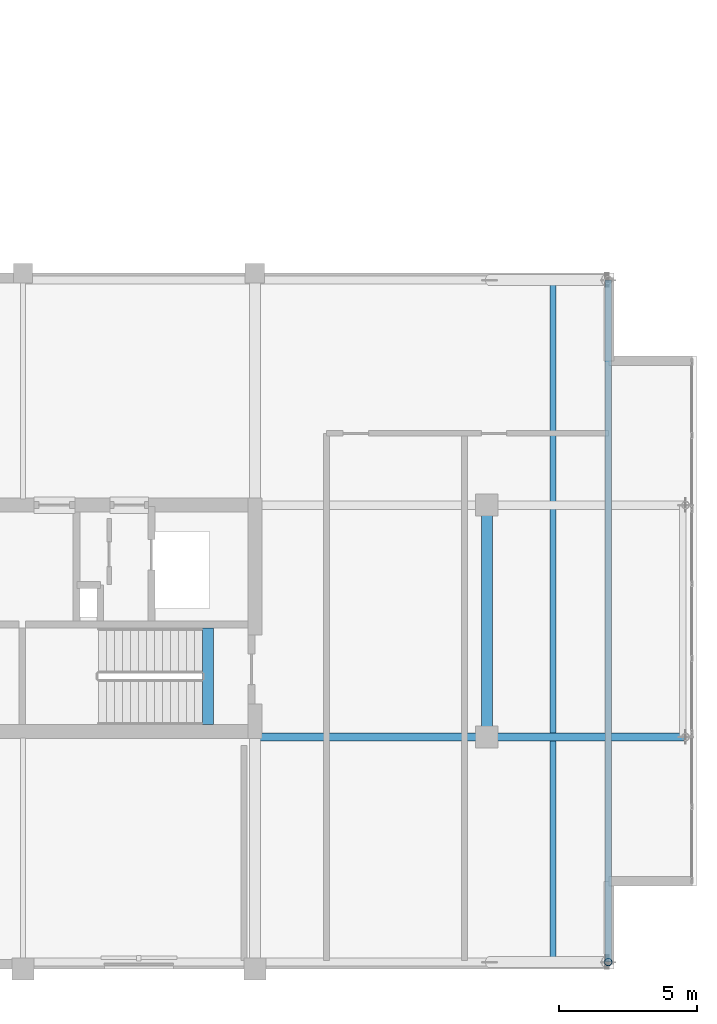
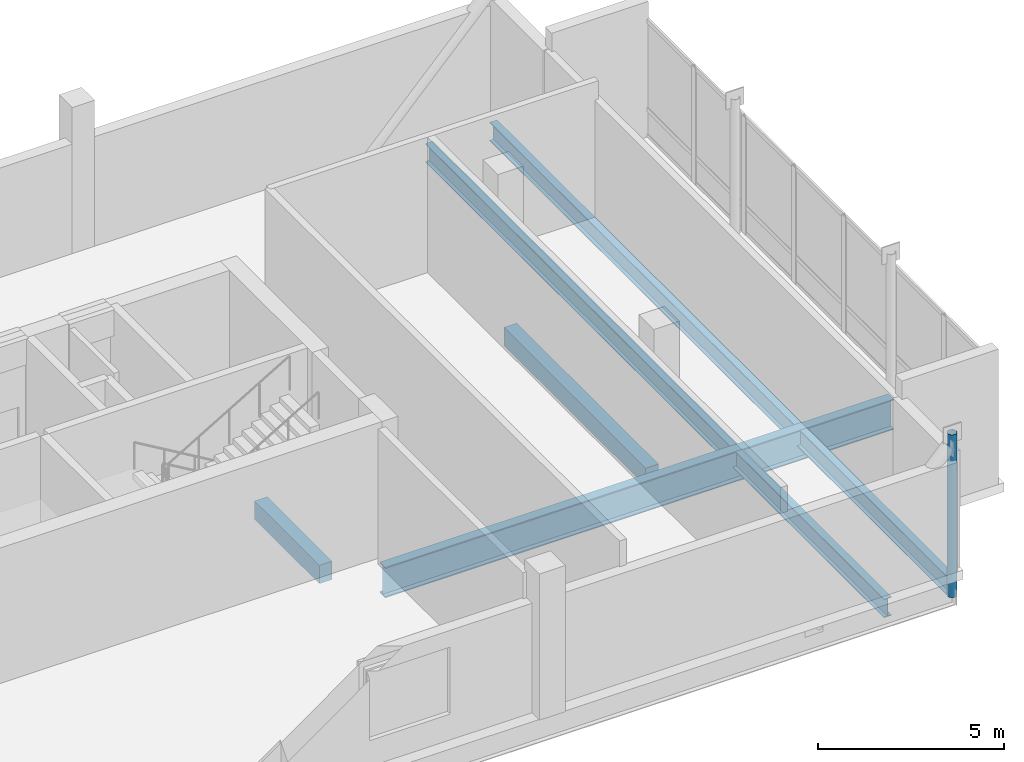
# One storey, part 2 of 18: 5 beams, 1 member.
"""IFC4 building model written with IfcOpenShell, lengths in metres."""

from ifc_helpers import new_model, si_unit, direction, frame, origin, origin_2d, place, context, subcontext, project, spatial, rectangle, hollow_circle, i_section, extrude, material, material_profile, profile_set, type_object, element, save


model = new_model("IFC4")

# Units and contexts
model_context = context("Model", 3, precision=1e-05, world=origin(), true_north=direction((0.0, 1.0)))
body_context = subcontext(model_context, "Body", "Model", "MODEL_VIEW")
ifc_project = project(units=[si_unit("LENGTHUNIT", "METRE"), si_unit("AREAUNIT", "SQUARE_METRE"), si_unit("VOLUMEUNIT", "CUBIC_METRE"), si_unit("PLANEANGLEUNIT", "RADIAN"), si_unit("MASSUNIT", "GRAM", prefix="KILO")], contexts=[model_context])

# Site, building, storey
site_placement = place(None, origin())
site = spatial("IfcSite", under=ifc_project, at=site_placement, CompositionType="ELEMENT")
building_placement = place(site_placement, origin())
building = spatial("IfcBuilding", under=site, at=building_placement, Name="Koriwani Terraces Tower", CompositionType="ELEMENT")
storey_placement = place(building_placement, frame((0.0, 0.0, 363.800048828125)))
storey = spatial("IfcBuildingStorey", under=building, at=storey_placement, Name="L90", CompositionType="ELEMENT", Elevation=363.800048828125)

# Beams
ifc_material_1 = material(Name="Concrete C40/50", Category="concrete")
ifc_material_profile_1 = material_profile(ifc_material_1, rectangle(XDim=0.39990234375, YDim=0.60009765625, at=origin_2d()), Name="Concrete C40/50", Category="LoadBearing")
ifc_profile_set_1 = profile_set([ifc_material_profile_1], Name="Concrete C40/50")
beam_type_1 = type_object("IfcBeamType", Name="BEAM_RC_GRID_400X600", PredefinedType="BEAM", material=ifc_profile_set_1)
beam_1_placement = place(storey_placement, frame((57.094970703125, 17.25, -0.300048828125), z_axis=(0.0, 1.0, 0.0), x_axis=(-1.0, 0.0, 0.0)))
element("IfcBeam", 1, at=beam_1_placement, inside=storey, type_object=beam_type_1, Name="L90 Stairwell Header Trimmer Beam ST-E2", PredefinedType="BEAM", context=body_context, shape_type="SweptSolid", body=[
    extrude(rectangle(XDim=0.39990234375, YDim=0.60009765625, at=origin_2d()), origin(), (0.0, 0.0, 1.0), 3.5),
])
beam_2_placement = place(storey_placement, frame((67.199951171875, 17.179931640625, -0.60009765625), z_axis=(0.0, 1.0, 0.0), x_axis=(-1.0, 0.0, 0.0)))
element("IfcBeam", 2, at=beam_2_placement, inside=storey, type_object=beam_type_1, Name="L90 Grid Beam 9 (16.8-25.2m)", PredefinedType="BEAM", context=body_context, shape_type="SweptSolid", body=[
    extrude(rectangle(XDim=0.39990234375, YDim=0.60009765625, at=origin_2d()), origin(), (0.0, 0.0, 1.0), 7.64013671875),
])

# Member
ifc_material_2 = material(Name="Steel ASTM A572 Grade 50", Category="steel")
ifc_material_profile_2 = material_profile(ifc_material_2, hollow_circle(Radius=0.136474609375, WallThickness=0.010009765625, at=origin_2d()), Name="Steel ASTM A572 Grade 50", Category="LoadBearing")
ifc_profile_set_2 = profile_set([ifc_material_profile_2], Name="Steel ASTM A572 Grade 50")
member_type = type_object("IfcMemberType", Name="CROWN_FRAME_BRACE_CHS273X10", PredefinedType="USERDEFINED", material=ifc_profile_set_2)
member_placement = place(storey_placement, frame((71.60009765625, 8.64990234375, -0.900146484375), z_axis=(0.0, 0.0, 1.0), x_axis=(1.0, 0.0, 0.0)))
element("IfcMember", 3, at=member_placement, inside=storey, type_object=member_type, Name="L90 Sky-Lounge Tip Hanger Strut TP-03", ObjectType="CROWN FRAME", PredefinedType="USERDEFINED", context=body_context, shape_type="SweptSolid", body=[
    extrude(hollow_circle(Radius=0.136474609375, WallThickness=0.010009765625, at=origin_2d()), origin(), (0.0, 0.0, 1.0), 5.35009765625),
])

# Beams
ifc_material_profile_3 = material_profile(ifc_material_2, i_section(OverallWidth=0.300048828125, OverallDepth=1.0, WebThickness=0.01904296875, FlangeThickness=0.035888671875, at=origin_2d()), Name="Steel ASTM A572 Grade 50", Category="LoadBearing")
ifc_profile_set_3 = profile_set([ifc_material_profile_3], Name="Steel ASTM A572 Grade 50")
beam_type_2 = type_object("IfcBeamType", Name="STEEL_BEAM_W1000X371", PredefinedType="USERDEFINED", material=ifc_profile_set_3)
beam_3_placement = place(storey_placement, frame((58.60009765625, 16.800048828125, -0.800048828125), z_axis=(1.0, 0.0, 0.0), x_axis=(0.0, 1.0, 0.0)))
element("IfcBeam", 4, at=beam_3_placement, inside=storey, type_object=beam_type_2, Name="L90 Sky-Lounge Cantilever Girder Bottom Y=16.8m", ObjectType="GIRDER", PredefinedType="USERDEFINED", context=body_context, shape_type="SweptSolid", body=[
    extrude(i_section(OverallWidth=0.300048828125, OverallDepth=1.0, WebThickness=0.01904296875, FlangeThickness=0.035888671875, at=origin_2d()), origin(), (0.0, 0.0, 1.0), 15.7998046875),
])
ifc_material_profile_4 = material_profile(ifc_material_2, i_section(OverallWidth=0.23095703125, OverallDepth=0.616943359375, WebThickness=0.015380859375, FlangeThickness=0.0244140625, at=origin_2d()), Name="Steel ASTM A572 Grade 50", Category="LoadBearing")
ifc_profile_set_4 = profile_set([ifc_material_profile_4], Name="Steel ASTM A572 Grade 50")
beam_type_3 = type_object("IfcBeamType", Name="STEEL_BEAM_W610X195", PredefinedType="BEAM", material=ifc_profile_set_4)
for number, where, z_axis, x_axis, name in (
    (5, (69.60009765625, 8.64990234375, -0.608642578125), (0.0, 1.0, 0.0), (-1.0, 0.0, 0.0), "L90 Sky-Lounge Cantilever Transverse Floor Beam X=69.6m"),
    (6, (71.60009765625, 8.64990234375, -0.608642578125), (0.0, 1.0, 0.0), (-1.0, 0.0, 0.0), "L90 Sky-Lounge Cantilever Transverse Floor Beam X=71.6m"),
):
    element("IfcBeam", number, at=place(storey_placement, frame(where, z_axis=z_axis, x_axis=x_axis)), inside=storey, type_object=beam_type_3, Name=name, PredefinedType="BEAM", context=body_context, shape_type="SweptSolid", body=[
        extrude(i_section(OverallWidth=0.23095703125, OverallDepth=0.616943359375, WebThickness=0.015380859375, FlangeThickness=0.0244140625, at=origin_2d()), origin(), (0.0, 0.0, 1.0), 24.7001953125),
    ])

save(model, "model.ifc")
